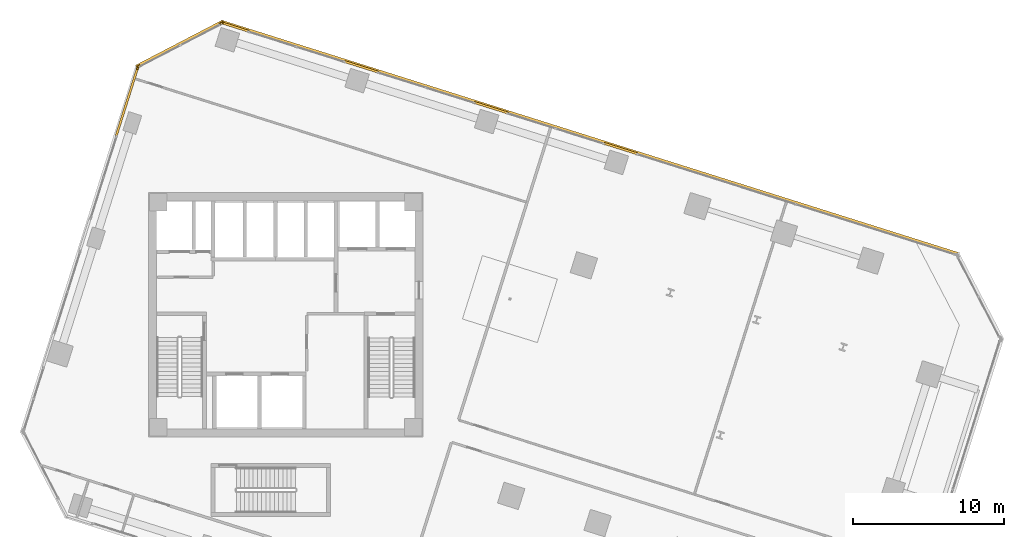
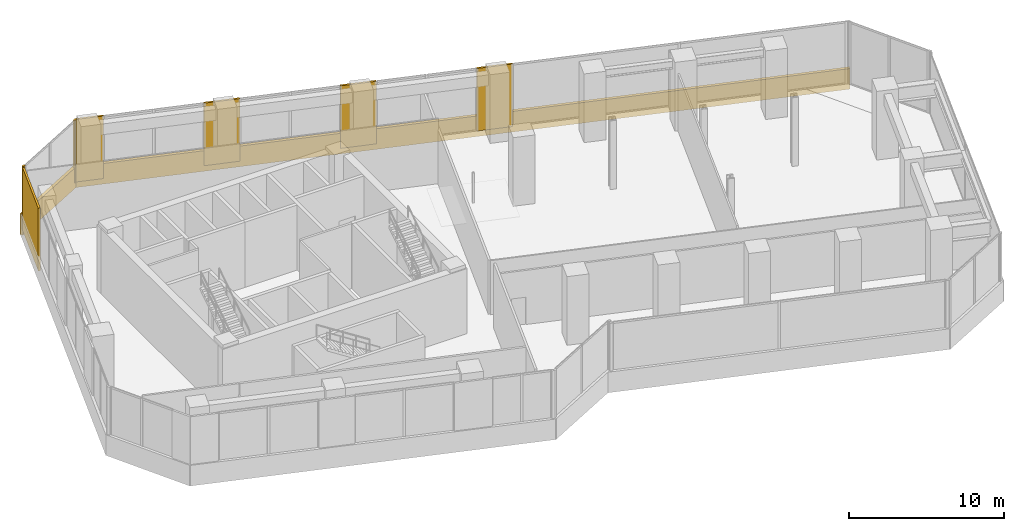
# One storey, part 27 of 28: 10 coverings.
"""IFC4 building model written with IfcOpenShell, lengths in metres."""

import ifcopenshell
import ifcopenshell.guid

model = None  # the IFC model being written
_history = None  # IfcOwnerHistory: only IFC2X3 demands one
_inside = {}  # id of a spatial element -> (the spatial element, [elements in it])
_under = {}  # id of a project, library or spatial element -> (it, [spatial elements below it])
_declared = {}  # id of a project -> (the project, [libraries it declares])
_typed = {}  # id of a type object -> (the type object, [elements of that type])
_made_of = {}  # id of a material, layer set ... -> (it, [elements and type objects made of it])


def new_model(schema):
    """Start an empty IFC model of exactly this schema.

    Asked for "IFC4X3", IfcOpenShell would pick the latest addendum, in which some entities
    have other attributes; the version numbers below select the first issue.
    IFC2X3 requires an IfcOwnerHistory on every rooted entity: one is made here for all.
    """
    global model, _history
    if schema == "IFC4X3":
        model = ifcopenshell.file(schema_version=(4, 3, 0, 0))
    else:
        model = ifcopenshell.file(schema=schema)
    _inside.clear()
    _under.clear()
    _declared.clear()
    _typed.clear()
    _made_of.clear()
    _history = None
    if model.schema == "IFC2X3":
        org = make("IfcOrganization", Name="unknown")
        user = make(
            "IfcPersonAndOrganization",
            ThePerson=make("IfcPerson", FamilyName="unknown"),
            TheOrganization=org,
        )
        app = make(
            "IfcApplication",
            ApplicationDeveloper=org,
            Version="unknown",
            ApplicationFullName="unknown",
            ApplicationIdentifier="unknown",
        )
        _history = make(
            "IfcOwnerHistory",
            OwningUser=user,
            OwningApplication=app,
            ChangeAction="ADDED",
            CreationDate=0,
        )
    return model


def make(cls, **values):
    """One entity of the class cls with the attributes given. An attribute that is None is left unset."""
    return model.create_entity(
        cls, **{name: value for name, value in values.items() if value is not None}
    )


def rooted(cls, **values):
    """An entity with a GlobalId (a new one), such as an element, a storey or a relation."""
    return make(cls, GlobalId=ifcopenshell.guid.new(), OwnerHistory=_history, **values)


def si_unit(unit_type, name, prefix=None):
    """IfcSIUnit, for example si_unit("LENGTHUNIT", "METRE", prefix="MILLI")."""
    return make("IfcSIUnit", UnitType=unit_type, Prefix=prefix, Name=name)


def assignment(units):
    """IfcUnitAssignment: the units of a project."""
    return None if units is None else make("IfcUnitAssignment", Units=units)


def point(xyz):
    """IfcCartesianPoint."""
    return None if xyz is None else make("IfcCartesianPoint", Coordinates=xyz)


def direction(xyz):
    """IfcDirection."""
    return None if xyz is None else make("IfcDirection", DirectionRatios=xyz)


def frame(location, z_axis=None, x_axis=None):
    """IfcAxis2Placement3D, a coordinate frame: its origin and axes. An axis left out is left unset."""
    return make(
        "IfcAxis2Placement3D",
        Location=point(location),
        Axis=direction(z_axis),
        RefDirection=direction(x_axis),
    )


def frame_2d(location, x_axis=None):
    """IfcAxis2Placement2D, a coordinate frame in the plane: its origin and x axis."""
    return make(
        "IfcAxis2Placement2D", Location=point(location), RefDirection=direction(x_axis)
    )


def origin():
    """The frame at (0, 0, 0) with its axes left unset."""
    return frame((0.0, 0.0, 0.0))


def origin_2d():
    """The frame at (0, 0) in the plane with its x axis left unset."""
    return frame_2d((0.0, 0.0))


def place(relative_to, where):
    """IfcLocalPlacement: puts the frame where relative to a parent placement (None: the world)."""
    return make(
        "IfcLocalPlacement", PlacementRelTo=relative_to, RelativePlacement=where
    )


def context(
    kind, dimensions, precision=None, world=None, true_north=None, identifier=None
):
    """IfcGeometricRepresentationContext, for example the 3D "Model" context."""
    return make(
        "IfcGeometricRepresentationContext",
        ContextIdentifier=identifier,
        ContextType=kind,
        CoordinateSpaceDimension=dimensions,
        Precision=precision,
        WorldCoordinateSystem=world,
        TrueNorth=true_north,
    )


def subcontext(parent, identifier, kind, view, scale=None):
    """IfcGeometricRepresentationSubContext, for example "Body" below "Model"."""
    return make(
        "IfcGeometricRepresentationSubContext",
        ContextIdentifier=identifier,
        ContextType=kind,
        ParentContext=parent,
        TargetScale=scale,
        TargetView=view,
    )


def project(units=None, contexts=None):
    """IfcProject with its units and contexts."""
    return rooted(
        "IfcProject",
        Name="project",
        RepresentationContexts=contexts,
        UnitsInContext=assignment(units),
    )


def spatial(cls, under=None, at=None, **own):
    """A site, building, storey or space (cls), placed at a placement, below another one or the project."""
    s = rooted(cls, ObjectPlacement=at, **own)
    if under is not None:
        _under.setdefault(under.id(), (under, []))[1].append(s)
    return s


def profile(cls, at=None, kind="AREA", **sizes):
    """A parametric profile (cls). Its sizes go by their IFC names, for example OverallWidth=200.0."""
    return make(cls, ProfileType=kind, Position=at, **sizes)


def rectangle(**sizes):
    """IfcRectangleProfileDef."""
    return profile("IfcRectangleProfileDef", **sizes)


def extrude(swept, where, along, depth):
    """IfcExtrudedAreaSolid: the profile swept, set in the frame where, extruded along a direction by depth."""
    return make(
        "IfcExtrudedAreaSolid",
        SweptArea=swept,
        Position=where,
        ExtrudedDirection=direction(along),
        Depth=depth,
    )


def shape(context_of_items, identifier, shape_type, items):
    """IfcShapeRepresentation: the items that make up one representation, for example the "Body"."""
    return make(
        "IfcShapeRepresentation",
        ContextOfItems=context_of_items,
        RepresentationIdentifier=identifier,
        RepresentationType=shape_type,
        Items=items,
    )


def source(mapping_origin, context_of_items, identifier, shape_type, items):
    """IfcRepresentationMap: a shape defined once, which mapped items show again and again."""
    return make(
        "IfcRepresentationMap",
        MappingOrigin=mapping_origin,
        MappedRepresentation=shape(context_of_items, identifier, shape_type, items),
    )


def transform(
    local_origin,
    x_axis=None,
    y_axis=None,
    z_axis=None,
    scale=None,
    scale2=None,
    scale3=None,
    uniform=True,
):
    """IfcCartesianTransformationOperator3D, or its non-uniform kind. x_axis, y_axis, z_axis: its Axis1, 2, 3."""
    if uniform:
        return make(
            "IfcCartesianTransformationOperator3D",
            Axis1=direction(x_axis),
            Axis2=direction(y_axis),
            LocalOrigin=point(local_origin),
            Scale=scale,
            Axis3=direction(z_axis),
        )
    return make(
        "IfcCartesianTransformationOperator3DnonUniform",
        Axis1=direction(x_axis),
        Axis2=direction(y_axis),
        LocalOrigin=point(local_origin),
        Scale=scale,
        Axis3=direction(z_axis),
        Scale2=scale2,
        Scale3=scale3,
    )


def mapped(mapping_source, mapping_target):
    """IfcMappedItem: shows the shape of a source again, moved by a transform."""
    return make(
        "IfcMappedItem", MappingSource=mapping_source, MappingTarget=mapping_target
    )


def material(Name=None, Category=None):
    """IfcMaterial."""
    return make("IfcMaterial", Name=Name, Category=Category)


def layer(
    of_material, thickness, ventilated=None, Name=None, Category=None, Priority=None
):
    """IfcMaterialLayer: one layer of a wall or slab, of a material (None: an air gap)."""
    return make(
        "IfcMaterialLayer",
        Material=of_material,
        LayerThickness=thickness,
        IsVentilated=ventilated,
        Name=Name,
        Category=Category,
        Priority=Priority,
    )


def layer_set(layers, Name=None):
    """IfcMaterialLayerSet."""
    return make("IfcMaterialLayerSet", MaterialLayers=layers, LayerSetName=Name)


def made_of(thing, what):
    """Note that an element or type object is made of a material, layer set ...; save() writes the relation."""
    if what is not None:
        _made_of.setdefault(what.id(), (what, []))[1].append(thing)
    return thing


def type_object(cls, material=None, **own):
    """A type object (cls), such as IfcWallType, which elements share."""
    return made_of(rooted(cls, **own), material)


def element(
    cls,
    number,
    at=None,
    inside=None,
    cuts=None,
    type_object=None,
    material=None,
    context=None,
    identifier="Body",
    shape_type=None,
    held_by="IfcProductDefinitionShape",
    body=None,
    shapes=None,
    **own,
):
    """One element of the class cls, such as IfcWall. Its Tag is "e" and its number.

    at: its placement. inside: the storey or other place that contains it. cuts: it is an
    opening in that element (IfcRelVoidsElement). A single representation is given by context,
    identifier, shape_type and body (its items); several are given by shapes. held_by: the class
    of the entity that holds the representations. save() writes the other relations.
    """
    e = rooted(cls, Tag="e%d" % number, ObjectPlacement=at, **own)
    if body is not None:
        shapes = [shape(context, identifier, shape_type, body)]
    if shapes is not None:
        e.Representation = make(held_by, Representations=shapes)
    if inside is not None:
        _inside.setdefault(inside.id(), (inside, []))[1].append(e)
    if cuts is not None:
        rooted(
            "IfcRelVoidsElement", RelatingBuildingElement=cuts, RelatedOpeningElement=e
        )
    if type_object is not None:
        _typed.setdefault(type_object.id(), (type_object, []))[1].append(e)
    return made_of(e, material)


def aggregate(whole, parts):
    """IfcRelAggregates: a whole, such as a stair, and the parts it consists of."""
    return rooted("IfcRelAggregates", RelatingObject=whole, RelatedObjects=parts)


def save(model, path):
    """Write the relations noted so far, then the file.

    IfcRelAggregates (storeys below a building ...), IfcRelContainedInSpatialStructure (elements
    in a storey), IfcRelDefinesByType, IfcRelAssociatesMaterial and IfcRelDeclares: one each for
    every whole, place, type object, material and project.
    """
    for whole, parts in _under.values():
        aggregate(whole, parts)
    for where, things in _inside.values():
        rooted(
            "IfcRelContainedInSpatialStructure",
            RelatedElements=things,
            RelatingStructure=where,
        )
    for kind, things in _typed.values():
        rooted("IfcRelDefinesByType", RelatedObjects=things, RelatingType=kind)
    for what, things in _made_of.values():
        rooted("IfcRelAssociatesMaterial", RelatedObjects=things, RelatingMaterial=what)
    for by, libraries in _declared.values():
        rooted("IfcRelDeclares", RelatingContext=by, RelatedDefinitions=libraries)
    model.write(path)


model = new_model("IFC4")

# Units and contexts
model_context = context("Model", 3, precision=1e-05, world=origin(), true_north=direction((0.0, 1.0)))
body_context = subcontext(model_context, "Body", "Model", "MODEL_VIEW")
ifc_project = project(units=[si_unit("LENGTHUNIT", "METRE"), si_unit("AREAUNIT", "SQUARE_METRE"), si_unit("VOLUMEUNIT", "CUBIC_METRE"), si_unit("PLANEANGLEUNIT", "RADIAN"), si_unit("MASSUNIT", "GRAM", prefix="KILO")], contexts=[model_context])

# Site, building, storey
site_placement = place(None, origin())
site = spatial("IfcSite", under=ifc_project, at=site_placement, CompositionType="ELEMENT")
building_placement = place(site_placement, origin())
building = spatial("IfcBuilding", under=site, at=building_placement, Name="Torre Montelarca", CompositionType="ELEMENT")
storey_placement = place(building_placement, frame((0.0, 0.0, 116.800048828125)))
storey = spatial("IfcBuildingStorey", under=building, at=storey_placement, Name="L26", CompositionType="ELEMENT", Elevation=116.800048828125)

# Coverings
ifc_material = material(Name="Bush-hammered warm white precast concrete C45/55", Category="concrete")
ifc_layer = layer(ifc_material, 0.139892578125, Name="Bush-hammered warm white precast concrete C45/55", Category="concrete")
ifc_layer_set = layer_set([ifc_layer], Name="Bush-hammered warm white precast concrete C45/55")
covering_type = type_object("IfcCoveringType", Name="COV-TRAY-CLAD", PredefinedType="CLADDING", material=ifc_layer_set)
shared_shape_1 = source(origin(), body_context, "Body", "SweptSolid", [
    extrude(rectangle(XDim=6.48388671875, YDim=0.219970703125, at=origin_2d()), origin(), (0.0, 0.0, 1.0), 1.6201171875),
])
covering_1_placement = place(storey_placement, frame((10.973876953125, 49.923583984375, -0.4501953125), z_axis=(0.0, 0.0, 1.0), x_axis=(-0.88701405677, -0.46174242072, 0.0)))
element("IfcCovering", 1, at=covering_1_placement, inside=storey, type_object=covering_type, Name="L26 Architectural White Spandrel Tray Band TRYBOT-09", PredefinedType="CLADDING", context=body_context, shape_type="MappedRepresentation", body=[
    mapped(shared_shape_1, transform((0.0, 0.0, 0.0), scale=1.0)),
])
shared_shape_2 = source(origin(), body_context, "Body", "SweptSolid", [
    extrude(rectangle(XDim=51.219970703125, YDim=0.219970703125, at=origin_2d()), origin(), (0.0, 0.0, 1.0), 1.6201171875),
])
covering_2_placement = place(storey_placement, frame((38.140869140625, 43.7080078125, -0.4501953125), z_axis=(0.0, 0.0, 1.0), x_axis=(-0.953717475577, 0.300704134954, 0.0)))
element("IfcCovering", 2, at=covering_2_placement, inside=storey, type_object=covering_type, Name="L26 Architectural White Spandrel Tray Band TRYBOT-08", PredefinedType="CLADDING", context=body_context, shape_type="MappedRepresentation", body=[
    mapped(shared_shape_2, transform((0.0, 0.0, 0.0), scale=1.0)),
])
shared_shape_3 = source(origin(), body_context, "Body", "SweptSolid", [
    extrude(rectangle(XDim=2.360107421875, YDim=0.139892578125, at=origin_2d()), origin(), (0.0, 0.0, 1.0), 4.919921875),
])
for number, where, z_axis, x_axis, name in (
    (3, (40.17333984375, 43.004150390625, 0.0), (0.0, 0.0, 1.0), (-0.953717475577, 0.300704134954, 0.0), "L26 Architectural Column Pier Cladding E08-2"),
    (4, (31.58984375, 45.71044921875, 0.0), (0.0, 0.0, 1.0), (-0.953717475577, 0.300704134954, 0.0), "L26 Architectural Column Pier Cladding E08-3"),
    (5, (23.00634765625, 48.416748046875, 0.0), (0.0, 0.0, 1.0), (-0.953717475577, 0.300704134954, 0.0), "L26 Architectural Column Pier Cladding E08-4"),
):
    element("IfcCovering", number, at=place(storey_placement, frame(where, z_axis=z_axis, x_axis=x_axis)), inside=storey, type_object=covering_type, Name=name, PredefinedType="CLADDING", context=body_context, shape_type="MappedRepresentation", body=[
        mapped(shared_shape_3, transform((0.0, 0.0, 0.0), scale=1.0)),
    ])
shared_shape_4 = source(origin(), body_context, "Body", "SweptSolid", [
    extrude(rectangle(XDim=0.199951171875, YDim=0.139892578125, at=origin_2d()), origin(), (0.0, 0.0, 1.0), 4.919921875),
])
for number, where, z_axis, x_axis, name in (
    (6, (13.72119140625, 51.2861328125, 0.0), (0.0, 0.0, 1.0), (-0.887017280319, -0.461736228182, 0.0), "L26 Architectural Column Pier Cladding E09-1"),
    (7, (8.28173828125, 48.45458984375, 0.0), (0.0, 0.0, 1.0), (-0.887017280319, -0.461736228182, 0.0), "L26 Architectural Column Pier Cladding E09-2"),
    (8, (8.1884765625, 48.343505859375, 0.0), (0.0, 0.0, 1.0), (-0.300707464054, -0.953716425916, 0.0), "L26 Architectural Column Pier Cladding E10-1"),
):
    element("IfcCovering", number, at=place(storey_placement, frame(where, z_axis=z_axis, x_axis=x_axis)), inside=storey, type_object=covering_type, Name=name, PredefinedType="CLADDING", context=body_context, shape_type="MappedRepresentation", body=[
        mapped(shared_shape_4, transform((0.0, 0.0, 0.0), scale=1.0)),
    ])
shared_shape_5 = source(origin(), body_context, "Body", "SweptSolid", [
    extrude(rectangle(XDim=1.864013671875, YDim=0.139892578125, at=origin_2d()), origin(), (0.0, 0.0, 1.0), 4.919921875),
])
covering_3_placement = place(storey_placement, frame((14.659423828125, 51.048583984375, 0.0), z_axis=(0.0, 0.0, 1.0), x_axis=(-0.953717475577, 0.300704134954, 0.0)))
element("IfcCovering", 9, at=covering_3_placement, inside=storey, type_object=covering_type, Name="L26 Architectural Column Pier Cladding E08-5", PredefinedType="CLADDING", context=body_context, shape_type="MappedRepresentation", body=[
    mapped(shared_shape_5, transform((0.0, 0.0, 0.0), scale=1.0)),
])
shared_shape_6 = source(origin(), body_context, "Body", "SweptSolid", [
    extrude(rectangle(XDim=4.764404296875, YDim=0.139892578125, at=origin_2d()), origin(), (0.0, 0.0, 1.0), 4.919921875),
])
covering_4_placement = place(storey_placement, frame((7.47216796875, 46.071533203125, 0.0), z_axis=(0.0, 0.0, 1.0), x_axis=(-0.300707464054, -0.953716425916, 0.0)))
element("IfcCovering", 10, at=covering_4_placement, inside=storey, type_object=covering_type, Name="L26 Architectural Column Pier Cladding E10-2", PredefinedType="CLADDING", context=body_context, shape_type="MappedRepresentation", body=[
    mapped(shared_shape_6, transform((0.0, 0.0, 0.0), scale=1.0)),
])

save(model, "model.ifc")
